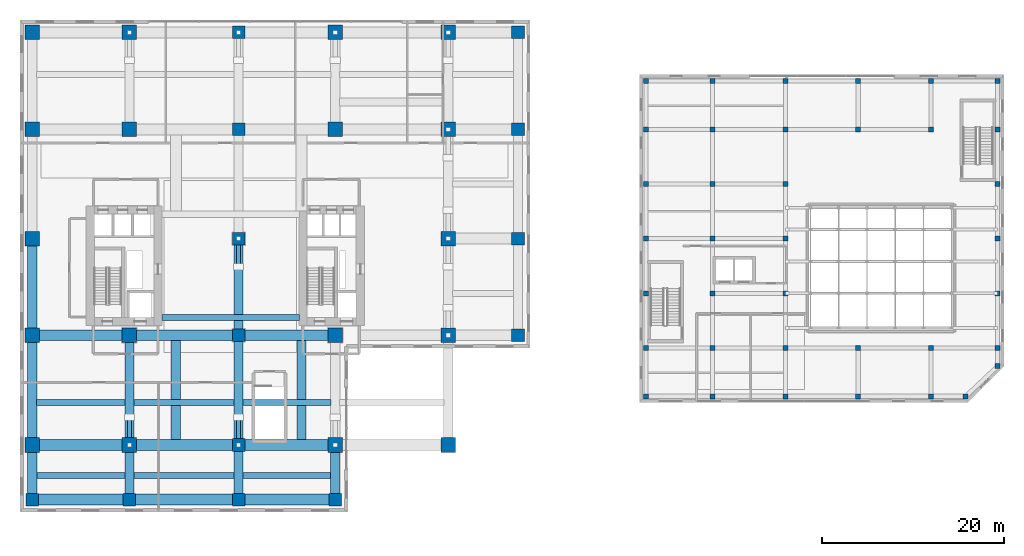
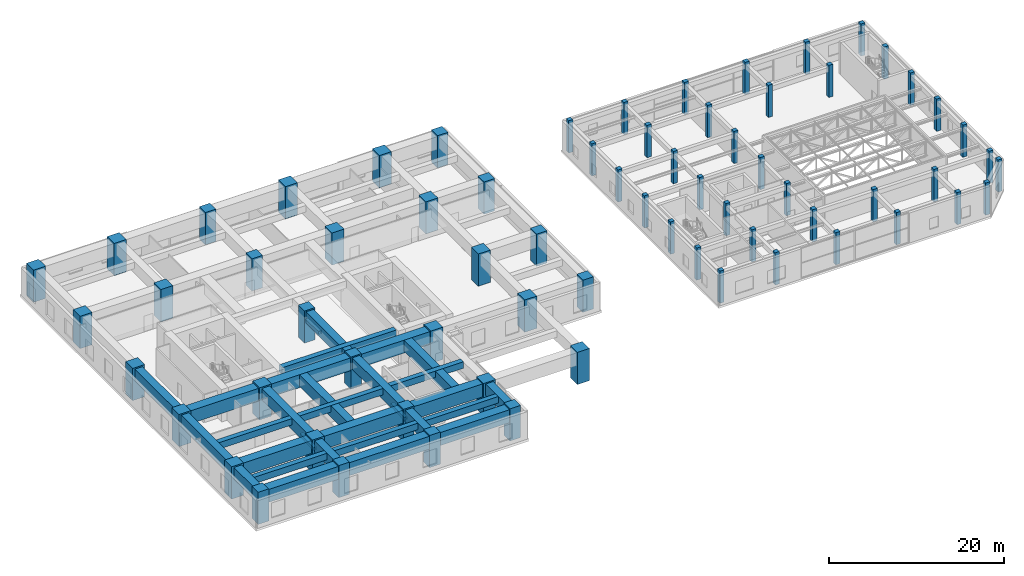
# One storey, part 1 of 33: 68 columns, 27 beams, 3 members.
"""IFC4 building model written with IfcOpenShell, lengths in metres."""

from ifc_helpers import new_model, si_unit, direction, frame, origin, origin_2d, place, context, subcontext, project, spatial, rectangle, hollow_rectangle, extrude, source, transform, mapped, material, material_profile, profile_set, type_object, element, save


model = new_model("IFC4")

# Units and contexts
model_context = context("Model", 3, precision=1e-05, world=origin(), true_north=direction((0.0, 1.0)))
body_context = subcontext(model_context, "Body", "Model", "MODEL_VIEW")
ifc_project = project(units=[si_unit("LENGTHUNIT", "METRE"), si_unit("AREAUNIT", "SQUARE_METRE"), si_unit("VOLUMEUNIT", "CUBIC_METRE"), si_unit("PLANEANGLEUNIT", "RADIAN"), si_unit("MASSUNIT", "GRAM", prefix="KILO")], contexts=[model_context])

# Site, building, storey
site_placement = place(None, origin())
site = spatial("IfcSite", under=ifc_project, at=site_placement, CompositionType="ELEMENT")
building_placement = place(site_placement, origin())
building = spatial("IfcBuilding", under=site, at=building_placement, Name="Khoralis Quay Care Tower", CompositionType="ELEMENT")
storey_placement = place(building_placement, frame((0.0, 0.0, 18.0)))
storey = spatial("IfcBuildingStorey", under=building, at=storey_placement, Name="L04", CompositionType="ELEMENT", Elevation=18.0)

# Columns
ifc_material_1 = material(Name="Concrete C80/95", Category="concrete")
ifc_material_profile_1 = material_profile(ifc_material_1, rectangle(XDim=1.39990234375, YDim=1.39990234375, at=origin_2d()), Name="Concrete C80/95")
ifc_profile_set_1 = profile_set([ifc_material_profile_1], Name="Concrete C80/95")
column_type_1 = type_object("IfcColumnType", Name="COL-MC1400", PredefinedType="COLUMN", material=ifc_profile_set_1)
shared_shape_1 = source(origin(), body_context, "Body", "SweptSolid", [
    extrude(rectangle(XDim=1.39990234375, YDim=1.39990234375, at=origin_2d()), origin(), (0.0, 0.0, 1.0), 4.5),
])
for number, where, z_axis, x_axis, name in (
    (1, (1.35009765625, -4.64990234375, 0.0), (0.0, 0.0, 1.0), (1.0, 0.0, 0.0), "L04 Mega column COL-POD-L04-01"),
    (2, (12.0, -4.64990234375, 0.0), (0.0, 0.0, 1.0), (1.0, 0.0, 0.0), "L04 Mega column COL-POD-L04-07"),
    (3, (24.0, -4.64990234375, 0.0), (0.0, 0.0, 1.0), (1.0, 0.0, 0.0), "L04 Mega column COL-POD-L04-12"),
    (4, (24.0, 1.35009765625, 0.0), (0.0, 0.0, 1.0), (1.0, 0.0, 0.0), "L04 Mega column COL-POD-L04-13"),
    (5, (24.0, 13.39990234375, 0.0), (0.0, 0.0, 1.0), (1.0, 0.0, 0.0), "L04 Mega column COL-POD-L04-14"),
    (6, (24.0, 24.0, 0.0), (0.0, 0.0, 1.0), (1.0, 0.0, 0.0), "L04 Mega column COL-POD-L04-15"),
    (7, (24.0, 36.0, 0.0), (0.0, 0.0, 1.0), (1.0, 0.0, 0.0), "L04 Mega column COL-POD-L04-16"),
    (8, (24.0, 46.64990234375, 0.0), (0.0, 0.0, 1.0), (1.0, 0.0, 0.0), "L04 Mega column COL-POD-L04-17"),
    (9, (34.60009765625, -4.64990234375, 0.0), (0.0, 0.0, 1.0), (1.0, 0.0, 0.0), "L04 Mega column COL-POD-L04-18"),
    (10, (54.64990234375, 13.39990234375, 0.0), (0.0, 0.0, 1.0), (1.0, 0.0, 0.0), "L04 Mega column COL-POD-L04-28"),
    (11, (54.64990234375, 24.0, 0.0), (0.0, 0.0, 1.0), (1.0, 0.0, 0.0), "L04 Mega column COL-POD-L04-29"),
    (12, (54.64990234375, 36.0, 0.0), (0.0, 0.0, 1.0), (1.0, 0.0, 0.0), "L04 Mega column COL-POD-L04-30"),
    (13, (54.64990234375, 46.64990234375, 0.0), (0.0, 0.0, 1.0), (1.0, 0.0, 0.0), "L04 Mega column COL-POD-L04-31"),
):
    element("IfcColumn", number, at=place(storey_placement, frame(where, z_axis=z_axis, x_axis=x_axis)), inside=storey, type_object=column_type_1, Name=name, PredefinedType="COLUMN", context=body_context, shape_type="MappedRepresentation", body=[
        mapped(shared_shape_1, transform((0.0, 0.0, 0.0), scale=1.0)),
    ])
ifc_material_profile_2 = material_profile(ifc_material_1, rectangle(XDim=1.60009765625, YDim=1.60009765625, at=origin_2d()), Name="Concrete C80/95")
ifc_profile_set_2 = profile_set([ifc_material_profile_2], Name="Concrete C80/95")
column_type_2 = type_object("IfcColumnType", Name="COL-MC1600", PredefinedType="COLUMN", material=ifc_profile_set_2)
shared_shape_2 = source(origin(), body_context, "Body", "SweptSolid", [
    extrude(rectangle(XDim=1.60009765625, YDim=1.60009765625, at=origin_2d()), origin(), (0.0, 0.0, 1.0), 4.5),
])
for number, where, z_axis, x_axis, name in (
    (14, (1.35009765625, 1.35009765625, 0.0), (0.0, 0.0, 1.0), (1.0, 0.0, 0.0), "L04 Mega column COL-POD-L04-02"),
    (15, (1.35009765625, 13.39990234375, 0.0), (0.0, 0.0, 1.0), (1.0, 0.0, 0.0), "L04 Mega column COL-POD-L04-03"),
    (16, (1.35009765625, 24.0, 0.0), (0.0, 0.0, 1.0), (1.0, 0.0, 0.0), "L04 Mega column COL-POD-L04-04"),
    (17, (1.35009765625, 36.0, 0.0), (0.0, 0.0, 1.0), (1.0, 0.0, 0.0), "L04 Mega column COL-POD-L04-05"),
    (18, (1.35009765625, 46.64990234375, 0.0), (0.0, 0.0, 1.0), (1.0, 0.0, 0.0), "L04 Mega column COL-POD-L04-06"),
    (19, (12.0, 1.35009765625, 0.0), (0.0, 0.0, 1.0), (1.0, 0.0, 0.0), "L04 Mega column COL-POD-L04-08"),
    (20, (12.0, 13.39990234375, 0.0), (0.0, 0.0, 1.0), (1.0, 0.0, 0.0), "L04 Mega column COL-POD-L04-09"),
    (21, (12.0, 36.0, 0.0), (0.0, 0.0, 1.0), (1.0, 0.0, 0.0), "L04 Mega column COL-POD-L04-10"),
    (22, (12.0, 46.64990234375, 0.0), (0.0, 0.0, 1.0), (1.0, 0.0, 0.0), "L04 Mega column COL-POD-L04-11"),
    (23, (34.60009765625, 1.35009765625, 0.0), (0.0, 0.0, 1.0), (1.0, 0.0, 0.0), "L04 Mega column COL-POD-L04-19"),
    (24, (34.60009765625, 13.39990234375, 0.0), (0.0, 0.0, 1.0), (1.0, 0.0, 0.0), "L04 Mega column COL-POD-L04-20"),
    (25, (34.60009765625, 36.0, 0.0), (0.0, 0.0, 1.0), (1.0, 0.0, 0.0), "L04 Mega column COL-POD-L04-21"),
    (26, (34.60009765625, 46.64990234375, 0.0), (0.0, 0.0, 1.0), (1.0, 0.0, 0.0), "L04 Mega column COL-POD-L04-22"),
    (27, (47.0, 1.35009765625, 0.0), (0.0, 0.0, 1.0), (1.0, 0.0, 0.0), "L04 Mega column COL-POD-L04-23"),
    (28, (47.0, 13.39990234375, 0.0), (0.0, 0.0, 1.0), (1.0, 0.0, 0.0), "L04 Mega column COL-POD-L04-24"),
    (29, (47.0, 24.0, 0.0), (0.0, 0.0, 1.0), (1.0, 0.0, 0.0), "L04 Mega column COL-POD-L04-25"),
    (30, (47.0, 36.0, 0.0), (0.0, 0.0, 1.0), (1.0, 0.0, 0.0), "L04 Mega column COL-POD-L04-26"),
    (31, (47.0, 46.64990234375, 0.0), (0.0, 0.0, 1.0), (1.0, 0.0, 0.0), "L04 Mega column COL-POD-L04-27"),
):
    element("IfcColumn", number, at=place(storey_placement, frame(where, z_axis=z_axis, x_axis=x_axis)), inside=storey, type_object=column_type_2, Name=name, PredefinedType="COLUMN", context=body_context, shape_type="MappedRepresentation", body=[
        mapped(shared_shape_2, transform((0.0, 0.0, 0.0), scale=1.0)),
    ])
ifc_material_2 = material(Name="Concrete C40/50", Category="concrete")
ifc_material_profile_3 = material_profile(ifc_material_2, rectangle(XDim=0.550048828125, YDim=0.550048828125, at=origin_2d()), Name="Concrete C40/50")
ifc_profile_set_3 = profile_set([ifc_material_profile_3], Name="Concrete C40/50")
column_type_3 = type_object("IfcColumnType", Name="COL-SC550", PredefinedType="COLUMN", material=ifc_profile_set_3)
shared_shape_3 = source(origin(), body_context, "Body", "SweptSolid", [
    extrude(rectangle(XDim=0.550048828125, YDim=0.550048828125, at=origin_2d()), origin(), (0.0, 0.0, 1.0), 4.5),
])
for number, where, z_axis, x_axis, name in (
    (32, (68.699951171875, 6.699951171875, 0.0), (0.0, 0.0, 1.0), (1.0, 0.0, 0.0), "COL-SCH-L04-01"),
    (33, (68.699951171875, 12.0, 0.0), (0.0, 0.0, 1.0), (1.0, 0.0, 0.0), "COL-SCH-L04-02"),
    (34, (68.699951171875, 18.0, 0.0), (0.0, 0.0, 1.0), (1.0, 0.0, 0.0), "COL-SCH-L04-03"),
    (35, (68.699951171875, 24.0, 0.0), (0.0, 0.0, 1.0), (1.0, 0.0, 0.0), "COL-SCH-L04-04"),
    (36, (68.699951171875, 30.0, 0.0), (0.0, 0.0, 1.0), (1.0, 0.0, 0.0), "COL-SCH-L04-05"),
    (37, (68.699951171875, 36.0, 0.0), (0.0, 0.0, 1.0), (1.0, 0.0, 0.0), "COL-SCH-L04-06"),
    (38, (68.699951171875, 41.300048828125, 0.0), (0.0, 0.0, 1.0), (1.0, 0.0, 0.0), "COL-SCH-L04-07"),
    (39, (76.0, 6.699951171875, 0.0), (0.0, 0.0, 1.0), (1.0, 0.0, 0.0), "COL-SCH-L04-08"),
    (40, (76.0, 12.0, 0.0), (0.0, 0.0, 1.0), (1.0, 0.0, 0.0), "COL-SCH-L04-09"),
    (41, (76.0, 18.0, 0.0), (0.0, 0.0, 1.0), (1.0, 0.0, 0.0), "COL-SCH-L04-10"),
    (42, (76.0, 24.0, 0.0), (0.0, 0.0, 1.0), (1.0, 0.0, 0.0), "COL-SCH-L04-11"),
    (43, (76.0, 30.0, 0.0), (0.0, 0.0, 1.0), (1.0, 0.0, 0.0), "COL-SCH-L04-12"),
    (44, (76.0, 36.0, 0.0), (0.0, 0.0, 1.0), (1.0, 0.0, 0.0), "COL-SCH-L04-13"),
    (45, (76.0, 41.300048828125, 0.0), (0.0, 0.0, 1.0), (1.0, 0.0, 0.0), "COL-SCH-L04-14"),
    (46, (84.0, 6.699951171875, 0.0), (0.0, 0.0, 1.0), (1.0, 0.0, 0.0), "COL-SCH-L04-15"),
    (47, (84.0, 12.0, 0.0), (0.0, 0.0, 1.0), (1.0, 0.0, 0.0), "COL-SCH-L04-16"),
    (48, (84.0, 18.0, 0.0), (0.0, 0.0, 1.0), (1.0, 0.0, 0.0), "COL-SCH-L04-17"),
    (49, (84.0, 24.0, 0.0), (0.0, 0.0, 1.0), (1.0, 0.0, 0.0), "COL-SCH-L04-18"),
    (50, (84.0, 30.0, 0.0), (0.0, 0.0, 1.0), (1.0, 0.0, 0.0), "COL-SCH-L04-19"),
    (51, (84.0, 36.0, 0.0), (0.0, 0.0, 1.0), (1.0, 0.0, 0.0), "COL-SCH-L04-20"),
    (52, (84.0, 41.300048828125, 0.0), (0.0, 0.0, 1.0), (1.0, 0.0, 0.0), "COL-SCH-L04-21"),
    (53, (92.0, 6.699951171875, 0.0), (0.0, 0.0, 1.0), (1.0, 0.0, 0.0), "COL-SCH-L04-22"),
    (54, (92.0, 12.0, 0.0), (0.0, 0.0, 1.0), (1.0, 0.0, 0.0), "COL-SCH-L04-23"),
    (55, (92.0, 36.0, 0.0), (0.0, 0.0, 1.0), (1.0, 0.0, 0.0), "COL-SCH-L04-24"),
    (56, (92.0, 41.300048828125, 0.0), (0.0, 0.0, 1.0), (1.0, 0.0, 0.0), "COL-SCH-L04-25"),
    (57, (100.0, 6.699951171875, 0.0), (0.0, 0.0, 1.0), (1.0, 0.0, 0.0), "COL-SCH-L04-26"),
    (58, (100.0, 12.0, 0.0), (0.0, 0.0, 1.0), (1.0, 0.0, 0.0), "COL-SCH-L04-27"),
    (59, (100.0, 36.0, 0.0), (0.0, 0.0, 1.0), (1.0, 0.0, 0.0), "COL-SCH-L04-28"),
    (60, (100.0, 41.300048828125, 0.0), (0.0, 0.0, 1.0), (1.0, 0.0, 0.0), "COL-SCH-L04-29"),
    (61, (107.300048828125, 12.0, 0.0), (0.0, 0.0, 1.0), (1.0, 0.0, 0.0), "COL-SCH-L04-30"),
    (62, (107.300048828125, 18.0, 0.0), (0.0, 0.0, 1.0), (1.0, 0.0, 0.0), "COL-SCH-L04-31"),
    (63, (107.300048828125, 24.0, 0.0), (0.0, 0.0, 1.0), (1.0, 0.0, 0.0), "COL-SCH-L04-32"),
    (64, (107.300048828125, 30.0, 0.0), (0.0, 0.0, 1.0), (1.0, 0.0, 0.0), "COL-SCH-L04-33"),
    (65, (107.300048828125, 36.0, 0.0), (0.0, 0.0, 1.0), (1.0, 0.0, 0.0), "COL-SCH-L04-34"),
    (66, (107.300048828125, 41.300048828125, 0.0), (0.0, 0.0, 1.0), (1.0, 0.0, 0.0), "COL-SCH-L04-35"),
    (67, (103.800048828125, 6.699951171875, 0.0), (0.0, 0.0, 1.0), (1.0, 0.0, 0.0), "COL-SCH-L04-36"),
    (68, (107.300048828125, 10.0, 0.0), (0.0, 0.0, 1.0), (1.0, 0.0, 0.0), "COL-SCH-L04-37"),
):
    element("IfcColumn", number, at=place(storey_placement, frame(where, z_axis=z_axis, x_axis=x_axis)), inside=storey, type_object=column_type_3, Name=name, PredefinedType="COLUMN", context=body_context, shape_type="MappedRepresentation", body=[
        mapped(shared_shape_3, transform((0.0, 0.0, 0.0), scale=1.0)),
    ])

# Beams
ifc_material_profile_4 = material_profile(ifc_material_1, rectangle(XDim=0.699951171875, YDim=1.0, at=origin_2d()), Name="Concrete C80/95")
ifc_profile_set_4 = profile_set([ifc_material_profile_4], Name="Concrete C80/95")
beam_type_1 = type_object("IfcBeamType", Name="CB-RC700X1000", PredefinedType="LINTEL", material=ifc_profile_set_4)
shared_shape_4 = source(origin(), body_context, "Body", "SweptSolid", [
    extrude(rectangle(XDim=0.699951171875, YDim=1.0, at=origin_2d()), origin(), (0.0, 0.0, 1.0), 15.079833984375),
])
beam_placement = place(storey_placement, frame((15.570068359375, 15.35009765625, 3.820068359375), z_axis=(1.0, 0.0, 0.0), x_axis=(0.0, 1.0, 0.0)))
element("IfcBeam", 69, at=beam_placement, inside=storey, type_object=beam_type_1, Name="L04 South Core Coupling Lintel", PredefinedType="LINTEL", context=body_context, shape_type="MappedRepresentation", body=[
    mapped(shared_shape_4, transform((0.0, 0.0, 0.0), scale=1.0)),
])
ifc_material_profile_5 = material_profile(ifc_material_1, rectangle(XDim=1.199951171875, YDim=1.800048828125, at=origin_2d()), Name="Concrete C80/95")
ifc_profile_set_5 = profile_set([ifc_material_profile_5], Name="Concrete C80/95")
beam_type_2 = type_object("IfcBeamType", Name="TG-RC1200X1800", PredefinedType="BEAM", material=ifc_profile_set_5)
shared_shape_5 = source(origin(), body_context, "Body", "SweptSolid", [
    extrude(rectangle(XDim=1.199951171875, YDim=1.800048828125, at=origin_2d()), origin(), (0.0, 0.0, 1.0), 10.64990234375),
])
for number, where, z_axis, x_axis, name in (
    (70, (1.35009765625, -4.64990234375, 3.419921875), (1.0, 0.0, 0.0), (0.0, 1.0, 0.0), "L04 Transfer girder BM-PODX-L04-01"),
    (71, (1.35009765625, 1.35009765625, 3.419921875), (1.0, 0.0, 0.0), (0.0, 1.0, 0.0), "L04 Transfer girder BM-PODX-L04-04"),
    (72, (1.35009765625, 13.39990234375, 3.419921875), (1.0, 0.0, 0.0), (0.0, 1.0, 0.0), "L04 Transfer girder BM-PODX-L04-08"),
):
    element("IfcBeam", number, at=place(storey_placement, frame(where, z_axis=z_axis, x_axis=x_axis)), inside=storey, type_object=beam_type_2, Name=name, PredefinedType="BEAM", context=body_context, shape_type="MappedRepresentation", body=[
        mapped(shared_shape_5, transform((0.0, 0.0, 0.0), scale=1.0)),
    ])
shared_shape_6 = source(origin(), body_context, "Body", "SweptSolid", [
    extrude(rectangle(XDim=1.199951171875, YDim=1.800048828125, at=origin_2d()), origin(), (0.0, 0.0, 1.0), 12.0),
])
for number, where, z_axis, x_axis, name in (
    (73, (12.0, -4.64990234375, 3.419921875), (1.0, 0.0, 0.0), (0.0, 1.0, 0.0), "L04 Transfer girder BM-PODX-L04-02"),
    (74, (12.0, 1.35009765625, 3.419921875), (1.0, 0.0, 0.0), (0.0, 1.0, 0.0), "L04 Transfer girder BM-PODX-L04-05"),
    (75, (12.0, 13.39990234375, 3.419921875), (1.0, 0.0, 0.0), (0.0, 1.0, 0.0), "L04 Transfer girder BM-PODX-L04-09"),
):
    element("IfcBeam", number, at=place(storey_placement, frame(where, z_axis=z_axis, x_axis=x_axis)), inside=storey, type_object=beam_type_2, Name=name, PredefinedType="BEAM", context=body_context, shape_type="MappedRepresentation", body=[
        mapped(shared_shape_6, transform((0.0, 0.0, 0.0), scale=1.0)),
    ])
shared_shape_7 = source(origin(), body_context, "Body", "SweptSolid", [
    extrude(rectangle(XDim=1.199951171875, YDim=1.800048828125, at=origin_2d()), origin(), (0.0, 0.0, 1.0), 10.60009765625),
])
for number, where, z_axis, x_axis, name in (
    (76, (24.0, -4.64990234375, 3.419921875), (1.0, 0.0, 0.0), (0.0, 1.0, 0.0), "L04 Transfer girder BM-PODX-L04-03"),
    (77, (24.0, 1.35009765625, 3.419921875), (1.0, 0.0, 0.0), (0.0, 1.0, 0.0), "L04 Transfer girder BM-PODX-L04-06"),
    (78, (24.0, 13.39990234375, 3.419921875), (1.0, 0.0, 0.0), (0.0, 1.0, 0.0), "L04 Transfer girder BM-PODX-L04-10"),
):
    element("IfcBeam", number, at=place(storey_placement, frame(where, z_axis=z_axis, x_axis=x_axis)), inside=storey, type_object=beam_type_2, Name=name, PredefinedType="BEAM", context=body_context, shape_type="MappedRepresentation", body=[
        mapped(shared_shape_7, transform((0.0, 0.0, 0.0), scale=1.0)),
    ])
ifc_material_profile_6 = material_profile(ifc_material_1, rectangle(XDim=1.0, YDim=1.60009765625, at=origin_2d()), Name="Concrete C80/95")
ifc_profile_set_6 = profile_set([ifc_material_profile_6], Name="Concrete C80/95")
beam_type_3 = type_object("IfcBeamType", Name="TG-RC1000X1600", PredefinedType="BEAM", material=ifc_profile_set_6)
shared_shape_8 = source(origin(), body_context, "Body", "SweptSolid", [
    extrude(rectangle(XDim=1.0, YDim=1.60009765625, at=origin_2d()), origin(), (0.0, 0.0, 1.0), 6.0),
])
for number, where, z_axis, x_axis, name in (
    (79, (1.35009765625, -4.64990234375, 3.52001953125), (0.0, 1.0, 0.0), (-1.0, 0.0, 0.0), "L04 Transfer girder BM-PODY-L04-24"),
    (80, (12.0, -4.64990234375, 3.52001953125), (0.0, 1.0, 0.0), (-1.0, 0.0, 0.0), "L04 Transfer girder BM-PODY-L04-29"),
    (81, (24.0, -4.64990234375, 3.52001953125), (0.0, 1.0, 0.0), (-1.0, 0.0, 0.0), "L04 Transfer girder BM-PODY-L04-32"),
    (82, (34.60009765625, -4.64990234375, 3.52001953125), (0.0, 1.0, 0.0), (-1.0, 0.0, 0.0), "L04 Transfer girder BM-PODY-L04-37"),
):
    element("IfcBeam", number, at=place(storey_placement, frame(where, z_axis=z_axis, x_axis=x_axis)), inside=storey, type_object=beam_type_3, Name=name, PredefinedType="BEAM", context=body_context, shape_type="MappedRepresentation", body=[
        mapped(shared_shape_8, transform((0.0, 0.0, 0.0), scale=1.0)),
    ])
shared_shape_9 = source(origin(), body_context, "Body", "SweptSolid", [
    extrude(rectangle(XDim=1.0, YDim=1.60009765625, at=origin_2d()), origin(), (0.0, 0.0, 1.0), 12.0498046875),
])
for number, where, z_axis, x_axis, name in (
    (83, (1.35009765625, 1.35009765625, 3.52001953125), (0.0, 1.0, 0.0), (-1.0, 0.0, 0.0), "L04 Transfer girder BM-PODY-L04-25"),
    (84, (12.0, 1.35009765625, 3.52001953125), (0.0, 1.0, 0.0), (-1.0, 0.0, 0.0), "L04 Transfer girder BM-PODY-L04-30"),
    (85, (24.0, 1.35009765625, 3.52001953125), (0.0, 1.0, 0.0), (-1.0, 0.0, 0.0), "L04 Transfer girder BM-PODY-L04-33"),
):
    element("IfcBeam", number, at=place(storey_placement, frame(where, z_axis=z_axis, x_axis=x_axis)), inside=storey, type_object=beam_type_3, Name=name, PredefinedType="BEAM", context=body_context, shape_type="MappedRepresentation", body=[
        mapped(shared_shape_9, transform((0.0, 0.0, 0.0), scale=1.0)),
    ])
shared_shape_10 = source(origin(), body_context, "Body", "SweptSolid", [
    extrude(rectangle(XDim=1.0, YDim=1.60009765625, at=origin_2d()), origin(), (0.0, 0.0, 1.0), 10.60009765625),
])
for number, where, z_axis, x_axis, name in (
    (86, (1.35009765625, 13.39990234375, 3.52001953125), (0.0, 1.0, 0.0), (-1.0, 0.0, 0.0), "L04 Transfer girder BM-PODY-L04-26"),
    (87, (24.0, 13.39990234375, 3.52001953125), (0.0, 1.0, 0.0), (-1.0, 0.0, 0.0), "L04 Transfer girder BM-PODY-L04-34"),
):
    element("IfcBeam", number, at=place(storey_placement, frame(where, z_axis=z_axis, x_axis=x_axis)), inside=storey, type_object=beam_type_3, Name=name, PredefinedType="BEAM", context=body_context, shape_type="MappedRepresentation", body=[
        mapped(shared_shape_10, transform((0.0, 0.0, 0.0), scale=1.0)),
    ])
ifc_material_3 = material(Name="Concrete C50/60", Category="concrete")
ifc_material_profile_7 = material_profile(ifc_material_3, rectangle(XDim=0.64990234375, YDim=0.89990234375, at=origin_2d()), Name="Concrete C50/60")
ifc_profile_set_7 = profile_set([ifc_material_profile_7], Name="Concrete C50/60")
beam_type_4 = type_object("IfcBeamType", Name="TB-RC650X900", PredefinedType="T_BEAM", material=ifc_profile_set_7)
shared_shape_11 = source(origin(), body_context, "Body", "SweptSolid", [
    extrude(rectangle(XDim=0.64990234375, YDim=0.89990234375, at=origin_2d()), origin(), (0.0, 0.0, 1.0), 9.674072265625),
])
for number, where, z_axis, x_axis, name in (
    (88, (1.837890625, -2.0, 3.8701171875), (1.0, 0.0, 0.0), (0.0, 1.0, 0.0), "BM-PODJ-L04-47"),
    (89, (1.837890625, 6.0, 3.8701171875), (1.0, 0.0, 0.0), (0.0, 1.0, 0.0), "BM-PODJ-L04-50"),
):
    element("IfcBeam", number, at=place(storey_placement, frame(where, z_axis=z_axis, x_axis=x_axis)), inside=storey, type_object=beam_type_4, Name=name, PredefinedType="T_BEAM", context=body_context, shape_type="MappedRepresentation", body=[
        mapped(shared_shape_11, transform((0.0, 0.0, 0.0), scale=1.0)),
    ])
shared_shape_12 = source(origin(), body_context, "Body", "SweptSolid", [
    extrude(rectangle(XDim=0.64990234375, YDim=0.89990234375, at=origin_2d()), origin(), (0.0, 0.0, 1.0), 11.02392578125),
])
for number, where, z_axis, x_axis, name in (
    (90, (12.488037109375, -2.0, 3.8701171875), (1.0, 0.0, 0.0), (0.0, 1.0, 0.0), "BM-PODJ-L04-48"),
    (91, (12.488037109375, 6.0, 3.8701171875), (1.0, 0.0, 0.0), (0.0, 1.0, 0.0), "BM-PODJ-L04-51"),
):
    element("IfcBeam", number, at=place(storey_placement, frame(where, z_axis=z_axis, x_axis=x_axis)), inside=storey, type_object=beam_type_4, Name=name, PredefinedType="T_BEAM", context=body_context, shape_type="MappedRepresentation", body=[
        mapped(shared_shape_12, transform((0.0, 0.0, 0.0), scale=1.0)),
    ])
shared_shape_13 = source(origin(), body_context, "Body", "SweptSolid", [
    extrude(rectangle(XDim=0.64990234375, YDim=0.89990234375, at=origin_2d()), origin(), (0.0, 0.0, 1.0), 9.6240234375),
])
for number, where, z_axis, x_axis, name in (
    (92, (24.488037109375, -2.0, 3.8701171875), (1.0, 0.0, 0.0), (0.0, 1.0, 0.0), "BM-PODJ-L04-49"),
    (93, (24.488037109375, 6.0, 3.8701171875), (1.0, 0.0, 0.0), (0.0, 1.0, 0.0), "BM-PODJ-L04-52"),
):
    element("IfcBeam", number, at=place(storey_placement, frame(where, z_axis=z_axis, x_axis=x_axis)), inside=storey, type_object=beam_type_4, Name=name, PredefinedType="T_BEAM", context=body_context, shape_type="MappedRepresentation", body=[
        mapped(shared_shape_13, transform((0.0, 0.0, 0.0), scale=1.0)),
    ])
shared_shape_14 = source(origin(), body_context, "Body", "SweptSolid", [
    extrude(rectangle(XDim=1.0, YDim=1.60009765625, at=origin_2d()), origin(), (0.0, 0.0, 1.0), 10.85400390625),
])
for number, where, z_axis, x_axis, name in (
    (94, (17.10009765625, 1.947998046875, 3.52001953125), (0.0, 1.0, 0.0), (-1.0, 0.0, 0.0), "L04 Transfer Girder South-West Spine"),
    (95, (30.89990234375, 1.947998046875, 3.52001953125), (0.0, 1.0, 0.0), (-1.0, 0.0, 0.0), "L04 Transfer Girder South-East Spine"),
):
    element("IfcBeam", number, at=place(storey_placement, frame(where, z_axis=z_axis, x_axis=x_axis)), inside=storey, type_object=beam_type_3, Name=name, PredefinedType="BEAM", context=body_context, shape_type="MappedRepresentation", body=[
        mapped(shared_shape_14, transform((0.0, 0.0, 0.0), scale=1.0)),
    ])

# Members
ifc_material_4 = material(Name="Steel S460", Category="steel")
ifc_material_profile_8 = material_profile(ifc_material_4, hollow_rectangle(XDim=0.449951171875, YDim=0.449951171875, WallThickness=0.02490234375, at=origin_2d()), Name="Steel S460")
ifc_profile_set_8 = profile_set([ifc_material_profile_8], Name="Steel S460")
member_type = type_object("IfcMemberType", Name="BR-RHS450X450X25", PredefinedType="BRACE", material=ifc_profile_set_8)
shared_shape_15 = source(origin(), body_context, "Body", "SweptSolid", [
    extrude(hollow_rectangle(XDim=0.449951171875, YDim=0.449951171875, WallThickness=0.02490234375, at=origin_2d()), origin(), (0.0, 0.0, 1.0), 3.054443359375),
])
for number, where, z_axis, x_axis, name in (
    (96, (12.0, 1.35009765625, 2.550048828125), (0.0, 0.998451487005, 0.055629381601), (-1.0, 0.0, 0.0), "Podium Transfer Truss Brace 01"),
    (97, (24.0, 1.35009765625, 2.550048828125), (0.0, 0.998451487005, 0.055629381601), (-1.0, 0.0, 0.0), "Podium Transfer Truss Brace 02"),
):
    element("IfcMember", number, at=place(storey_placement, frame(where, z_axis=z_axis, x_axis=x_axis)), inside=storey, type_object=member_type, Name=name, PredefinedType="BRACE", context=body_context, shape_type="MappedRepresentation", body=[
        mapped(shared_shape_15, transform((0.0, 0.0, 0.0), scale=1.0)),
    ])
shared_shape_16 = source(origin(), body_context, "Body", "SweptSolid", [
    extrude(hollow_rectangle(XDim=0.449951171875, YDim=0.449951171875, WallThickness=0.02490234375, at=origin_2d()), origin(), (0.0, 0.0, 1.0), 3.104736328125),
])
member_placement = place(storey_placement, frame((24.0, 24.0, 2.550048828125), z_axis=(0.0, -0.998501210612, 0.054729630067), x_axis=(1.0, 0.0, 0.0)))
element("IfcMember", 98, at=member_placement, inside=storey, type_object=member_type, Name="Podium Transfer Truss Brace 12", PredefinedType="BRACE", context=body_context, shape_type="MappedRepresentation", body=[
    mapped(shared_shape_16, transform((0.0, 0.0, 0.0), scale=1.0)),
])

save(model, "model.ifc")
